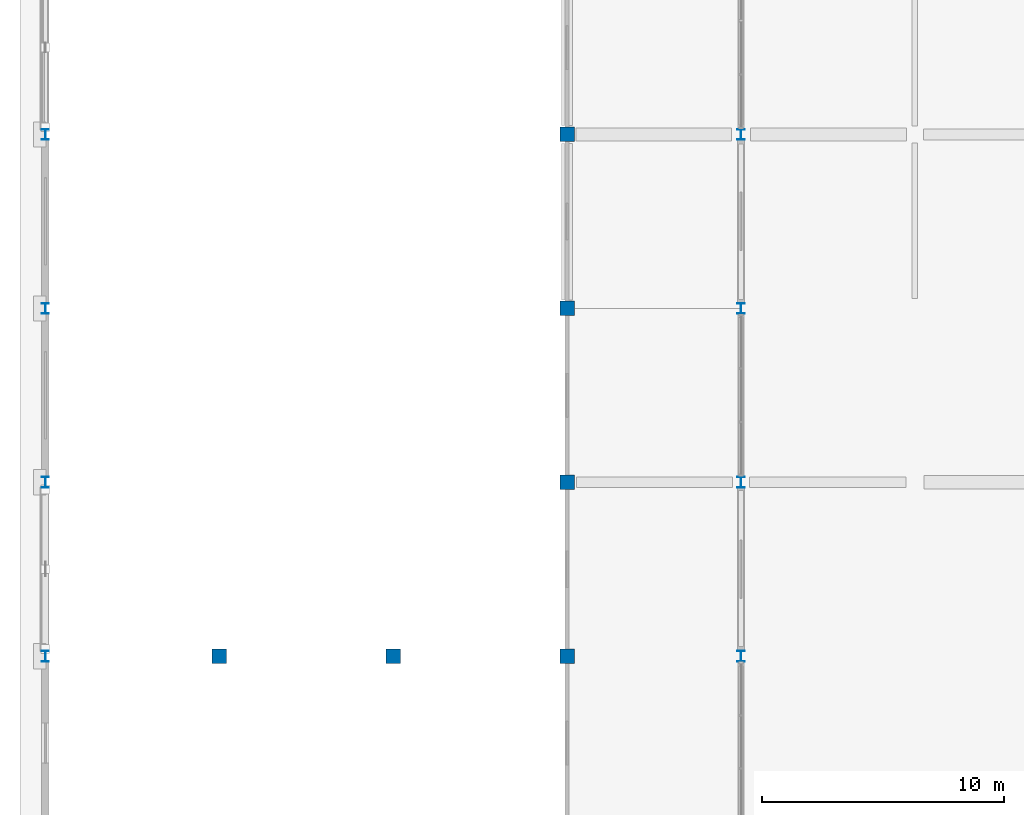
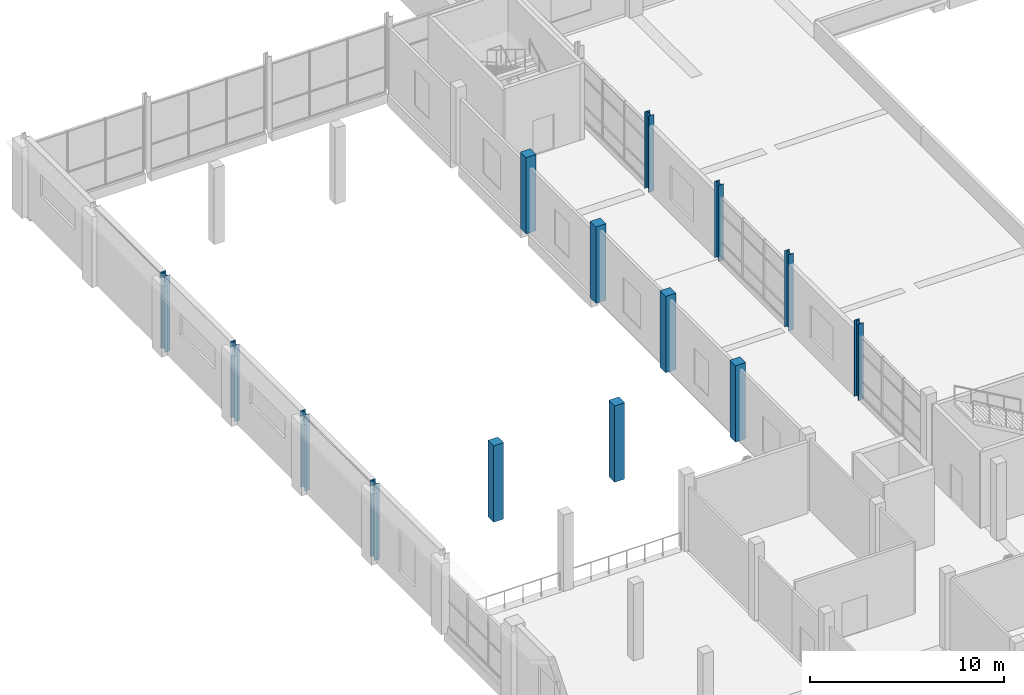
# One storey, part 3 of 82: 14 columns.
"""IFC4 building model written with IfcOpenShell, lengths in metres."""

from ifc_helpers import new_model, si_unit, direction, frame, origin, origin_2d, place, context, subcontext, project, spatial, rectangle, i_section, extrude, material, material_profile, profile_set, type_object, element, save


model = new_model("IFC4")

# Units and contexts
model_context = context("Model", 3, precision=1e-05, world=origin(), true_north=direction((0.0, 1.0)))
body_context = subcontext(model_context, "Body", "Model", "MODEL_VIEW")
ifc_project = project(units=[si_unit("LENGTHUNIT", "METRE"), si_unit("AREAUNIT", "SQUARE_METRE"), si_unit("VOLUMEUNIT", "CUBIC_METRE"), si_unit("PLANEANGLEUNIT", "RADIAN"), si_unit("MASSUNIT", "GRAM", prefix="KILO")], contexts=[model_context])

# Site, building, storey
site_placement = place(None, origin())
site = spatial("IfcSite", under=ifc_project, at=site_placement, CompositionType="ELEMENT")
building_placement = place(site_placement, origin())
building = spatial("IfcBuilding", under=site, at=building_placement, Name="Sardonyx Promenade Sports Hall", CompositionType="ELEMENT")
storey_placement = place(building_placement, frame((0.0, 0.0, 11.199951171875)))
storey = spatial("IfcBuildingStorey", under=building, at=storey_placement, Name="L02", CompositionType="ELEMENT", Elevation=11.199951171875)

# Columns
ifc_material_1 = material(Name="Steel S355JR", Category="steel")
ifc_material_profile_1 = material_profile(ifc_material_1, i_section(OverallWidth=0.300048828125, OverallDepth=0.43994140625, WebThickness=0.011474609375, FlangeThickness=0.02099609375, at=origin_2d()))
ifc_profile_set_1 = profile_set([ifc_material_profile_1], Name="Steel S355JR")
column_type_1 = type_object("IfcColumnType", Name="Col_Ext_HEA450", PredefinedType="COLUMN", material=ifc_profile_set_1)
for number, where, z_axis, x_axis, name in (
    (1, (0.0, 36.0, 0.0), (0.0, 0.0, 1.0), (1.0, 0.0, 0.0), "Column CE10 L02 (0.0,36.0)"),
    (2, (0.0, 43.199951171875, 0.0), (0.0, 0.0, 1.0), (1.0, 0.0, 0.0), "Column CE10 L02 (0.0,43.2)"),
    (3, (0.0, 50.39990234375, 0.0), (0.0, 0.0, 1.0), (1.0, 0.0, 0.0), "Column CE10 L02 (0.0,50.4)"),
    (4, (0.0, 57.60009765625, 0.0), (0.0, 0.0, 1.0), (1.0, 0.0, 0.0), "Column CE10 L02 (0.0,57.6)"),
    (5, (28.800048828125, 36.0, 0.0), (0.0, 0.0, 1.0), (1.0, 0.0, 0.0), "Column CE10 L02 (28.8,36.0)"),
    (6, (28.800048828125, 43.199951171875, 0.0), (0.0, 0.0, 1.0), (1.0, 0.0, 0.0), "Column CE10 L02 (28.8,43.2)"),
    (7, (28.800048828125, 50.39990234375, 0.0), (0.0, 0.0, 1.0), (1.0, 0.0, 0.0), "Column CE10 L02 (28.8,50.4)"),
    (8, (28.800048828125, 57.60009765625, 0.0), (0.0, 0.0, 1.0), (1.0, 0.0, 0.0), "Column CE10 L02 (28.8,57.6)"),
):
    element("IfcColumn", number, at=place(storey_placement, frame(where, z_axis=z_axis, x_axis=x_axis)), inside=storey, type_object=column_type_1, Name=name, PredefinedType="COLUMN", context=body_context, shape_type="SweptSolid", body=[
        extrude(i_section(OverallWidth=0.300048828125, OverallDepth=0.43994140625, WebThickness=0.011474609375, FlangeThickness=0.02099609375, at=origin_2d()), origin(), (0.0, 0.0, 1.0), 4.800048828125),
    ])
ifc_material_2 = material(Name="Concrete C40/50", Category="concrete")
ifc_material_profile_2 = material_profile(ifc_material_2, rectangle(XDim=0.60009765625, YDim=0.60009765625, at=origin_2d()))
ifc_profile_set_2 = profile_set([ifc_material_profile_2], Name="Concrete C40/50")
column_type_2 = type_object("IfcColumnType", Name="Col_Int_RC600", PredefinedType="COLUMN", material=ifc_profile_set_2)
for number, where, z_axis, x_axis, name in (
    (9, (7.199951171875, 36.0, 0.0), (0.0, 0.0, 1.0), (1.0, 0.0, 0.0), "Column CI02 L02 (7.2,36.0)"),
    (10, (14.39990234375, 36.0, 0.0), (0.0, 0.0, 1.0), (1.0, 0.0, 0.0), "Column CI02 L02 (14.4,36.0)"),
    (11, (21.60009765625, 36.0, 0.0), (0.0, 0.0, 1.0), (1.0, 0.0, 0.0), "Column CI02 L02 (21.6,36.0)"),
    (12, (21.60009765625, 43.199951171875, 0.0), (0.0, 0.0, 1.0), (1.0, 0.0, 0.0), "Column CI02 L02 (21.6,43.2)"),
    (13, (21.60009765625, 50.39990234375, 0.0), (0.0, 0.0, 1.0), (1.0, 0.0, 0.0), "Column CI02 L02 (21.6,50.4)"),
    (14, (21.60009765625, 57.60009765625, 0.0), (0.0, 0.0, 1.0), (1.0, 0.0, 0.0), "Column CI02 L02 (21.6,57.6)"),
):
    element("IfcColumn", number, at=place(storey_placement, frame(where, z_axis=z_axis, x_axis=x_axis)), inside=storey, type_object=column_type_2, Name=name, PredefinedType="COLUMN", context=body_context, shape_type="SweptSolid", body=[
        extrude(rectangle(XDim=0.60009765625, YDim=0.60009765625, at=origin_2d()), origin(), (0.0, 0.0, 1.0), 4.800048828125),
    ])

save(model, "model.ifc")
